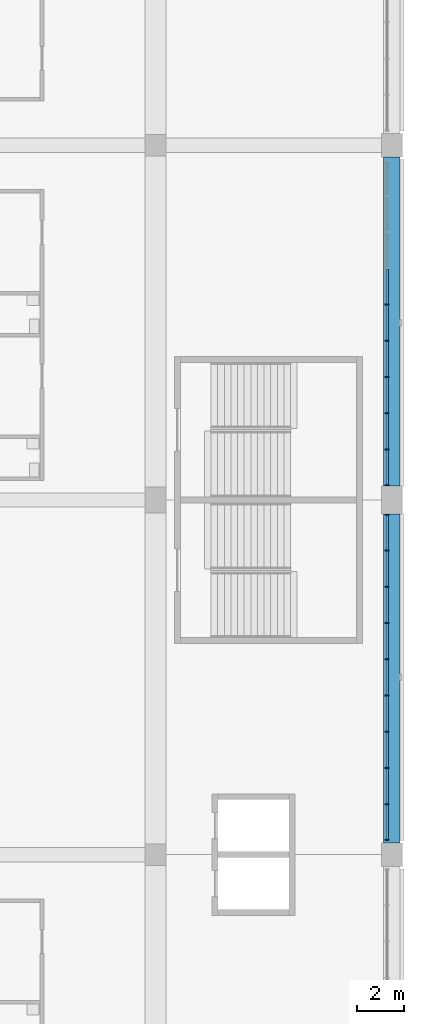
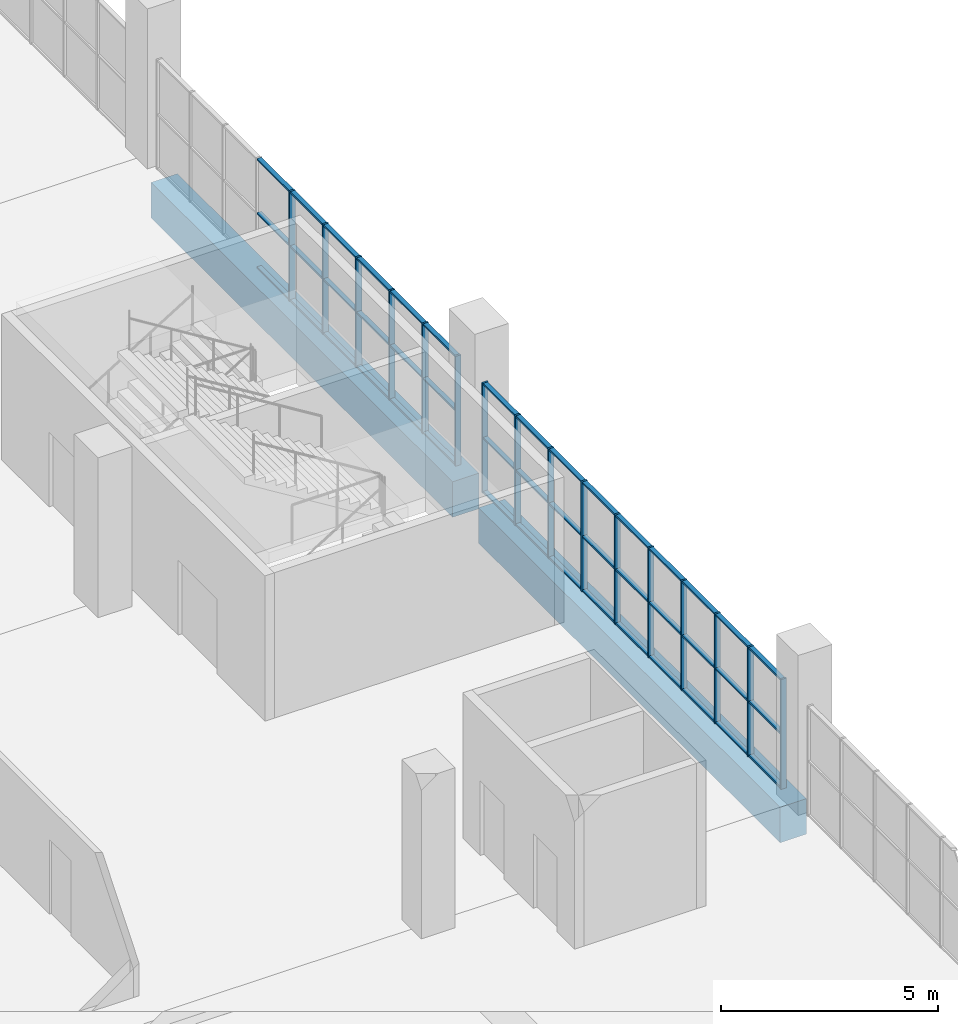
# One storey, part 32 of 199: 61 members, 2 beams, 2 elements without a shape of their own.
"""IFC4 building model written with IfcOpenShell, lengths in metres."""

from ifc_helpers import new_model, si_unit, direction, frame, origin, origin_2d, place, context, subcontext, project, spatial, rectangle, extrude, material, material_profile, profile_set, type_object, element, aggregate, save


model = new_model("IFC4")

# Units and contexts
model_context = context("Model", 3, precision=1e-05, world=origin(), true_north=direction((0.0, 1.0)))
body_context = subcontext(model_context, "Body", "Model", "MODEL_VIEW")
ifc_project = project(units=[si_unit("LENGTHUNIT", "METRE"), si_unit("AREAUNIT", "SQUARE_METRE"), si_unit("VOLUMEUNIT", "CUBIC_METRE"), si_unit("PLANEANGLEUNIT", "RADIAN"), si_unit("MASSUNIT", "GRAM", prefix="KILO")], contexts=[model_context])

# Site, building, storey
site_placement = place(None, origin())
site = spatial("IfcSite", under=ifc_project, at=site_placement, CompositionType="ELEMENT")
building_placement = place(site_placement, origin())
building = spatial("IfcBuilding", under=site, at=building_placement, Name="Ogive Plaza Stadium", CompositionType="ELEMENT")
storey_placement = place(building_placement, frame((0.0, 0.0, 9.0)))
storey = spatial("IfcBuildingStorey", under=building, at=storey_placement, Name="L02", CompositionType="ELEMENT", Elevation=9.0)

# Curtain wall, members
ifc_material_1 = material(Name="Bronze-anodised aluminium with laminated glass", Category="aluminium")
curtain_wall_type = type_object("IfcCurtainWallType", Name="Lancet curtain wall", PredefinedType="NOTDEFINED", material=ifc_material_1)
curtain_wall_1_placement = place(storey_placement, origin())
curtain_wall_1 = element("IfcCurtainWall", 1, at=curtain_wall_1_placement, inside=storey, type_object=curtain_wall_type, Name="CURTAIN WALL B03 L02", PredefinedType="NOTDEFINED")
ifc_material_2 = material(Name="Bronze-anodised aluminium", Category="aluminium")
ifc_material_profile_1 = material_profile(ifc_material_2, rectangle(XDim=0.14990234375, YDim=0.050048828125, at=origin_2d()), Name="AL 150x50")
ifc_profile_set_1 = profile_set([ifc_material_profile_1], Name="Bronze-anodised aluminium")
member_type_1 = type_object("IfcMemberType", Name="Curtain wall mullion 50x150", PredefinedType="MULLION", material=ifc_profile_set_1)
member_1_placement = place(storey_placement, frame((83.800048828125, 15.7666015625, 0.0), z_axis=(0.0, 0.0, 1.0), x_axis=(1.0, 0.0, 0.0)))
member_1 = element("IfcMember", 2, at=member_1_placement, type_object=member_type_1, Name="CW-B03-L02 mullion 5", PredefinedType="MULLION", context=body_context, shape_type="SweptSolid", body=[
    extrude(rectangle(XDim=0.14990234375, YDim=0.050048828125, at=origin_2d()), origin(), (0.0, 0.0, 1.0), 3.090087890625),
])
member_2_placement = place(storey_placement, frame((83.800048828125, 14.2333984375, 0.0), z_axis=(0.0, 0.0, 1.0), x_axis=(1.0, 0.0, 0.0)))
member_2 = element("IfcMember", 3, at=member_2_placement, type_object=member_type_1, Name="CW-B03-L02 mullion 6", PredefinedType="MULLION", context=body_context, shape_type="SweptSolid", body=[
    extrude(rectangle(XDim=0.14990234375, YDim=0.050048828125, at=origin_2d()), origin(), (0.0, 0.0, 1.0), 3.090087890625),
])
member_3_placement = place(storey_placement, frame((83.800048828125, 12.699951171875, 0.0), z_axis=(0.0, 0.0, 1.0), x_axis=(1.0, 0.0, 0.0)))
member_3 = element("IfcMember", 4, at=member_3_placement, type_object=member_type_1, Name="CW-B03-L02 mullion 7", PredefinedType="MULLION", context=body_context, shape_type="SweptSolid", body=[
    extrude(rectangle(XDim=0.14990234375, YDim=0.050048828125, at=origin_2d()), origin(), (0.0, 0.0, 1.0), 3.090087890625),
])
member_4_placement = place(storey_placement, frame((83.800048828125, 11.166748046875, 0.0), z_axis=(0.0, 0.0, 1.0), x_axis=(1.0, 0.0, 0.0)))
member_4 = element("IfcMember", 5, at=member_4_placement, type_object=member_type_1, Name="CW-B03-L02 mullion 8", PredefinedType="MULLION", context=body_context, shape_type="SweptSolid", body=[
    extrude(rectangle(XDim=0.14990234375, YDim=0.050048828125, at=origin_2d()), origin(), (0.0, 0.0, 1.0), 3.090087890625),
])
member_5_placement = place(storey_placement, frame((83.800048828125, 9.63330078125, 0.0), z_axis=(0.0, 0.0, 1.0), x_axis=(1.0, 0.0, 0.0)))
member_5 = element("IfcMember", 6, at=member_5_placement, type_object=member_type_1, Name="CW-B03-L02 mullion 9", PredefinedType="MULLION", context=body_context, shape_type="SweptSolid", body=[
    extrude(rectangle(XDim=0.14990234375, YDim=0.050048828125, at=origin_2d()), origin(), (0.0, 0.0, 1.0), 3.090087890625),
])
member_6_placement = place(storey_placement, frame((83.800048828125, 8.125, 0.0), z_axis=(0.0, 0.0, 1.0), x_axis=(1.0, 0.0, 0.0)))
member_6 = element("IfcMember", 7, at=member_6_placement, type_object=member_type_1, Name="CW-B03-L02 mullion 10", PredefinedType="MULLION", context=body_context, shape_type="SweptSolid", body=[
    extrude(rectangle(XDim=0.14990234375, YDim=0.050048828125, at=origin_2d()), origin(), (0.0, 0.0, 1.0), 3.090087890625),
])

curtain_wall_2_placement = place(storey_placement, origin())
curtain_wall_2 = element("IfcCurtainWall", 8, at=curtain_wall_2_placement, inside=storey, type_object=curtain_wall_type, Name="CURTAIN WALL B04 L02", PredefinedType="NOTDEFINED")
member_7_placement = place(storey_placement, frame((83.800048828125, 6.875, 0.0), z_axis=(0.0, 0.0, 1.0), x_axis=(1.0, 0.0, 0.0)))
member_7 = element("IfcMember", 9, at=member_7_placement, type_object=member_type_1, Name="CW-B04-L02 mullion 1", PredefinedType="MULLION", context=body_context, shape_type="SweptSolid", body=[
    extrude(rectangle(XDim=0.14990234375, YDim=0.050048828125, at=origin_2d()), origin(), (0.0, 0.0, 1.0), 3.090087890625),
])
member_8_placement = place(storey_placement, frame((83.800048828125, 5.36669921875, 0.0), z_axis=(0.0, 0.0, 1.0), x_axis=(1.0, 0.0, 0.0)))
member_8 = element("IfcMember", 10, at=member_8_placement, type_object=member_type_1, Name="CW-B04-L02 mullion 2", PredefinedType="MULLION", context=body_context, shape_type="SweptSolid", body=[
    extrude(rectangle(XDim=0.14990234375, YDim=0.050048828125, at=origin_2d()), origin(), (0.0, 0.0, 1.0), 3.090087890625),
])
member_9_placement = place(storey_placement, frame((83.800048828125, 3.833251953125, 0.0), z_axis=(0.0, 0.0, 1.0), x_axis=(1.0, 0.0, 0.0)))
member_9 = element("IfcMember", 11, at=member_9_placement, type_object=member_type_1, Name="CW-B04-L02 mullion 3", PredefinedType="MULLION", context=body_context, shape_type="SweptSolid", body=[
    extrude(rectangle(XDim=0.14990234375, YDim=0.050048828125, at=origin_2d()), origin(), (0.0, 0.0, 1.0), 3.090087890625),
])
member_10_placement = place(storey_placement, frame((83.800048828125, 2.300048828125, 0.0), z_axis=(0.0, 0.0, 1.0), x_axis=(1.0, 0.0, 0.0)))
member_10 = element("IfcMember", 12, at=member_10_placement, type_object=member_type_1, Name="CW-B04-L02 mullion 4", PredefinedType="MULLION", context=body_context, shape_type="SweptSolid", body=[
    extrude(rectangle(XDim=0.14990234375, YDim=0.050048828125, at=origin_2d()), origin(), (0.0, 0.0, 1.0), 3.090087890625),
])
member_11_placement = place(storey_placement, frame((83.800048828125, 0.7666015625, 0.0), z_axis=(0.0, 0.0, 1.0), x_axis=(1.0, 0.0, 0.0)))
member_11 = element("IfcMember", 13, at=member_11_placement, type_object=member_type_1, Name="CW-B04-L02 mullion 5", PredefinedType="MULLION", context=body_context, shape_type="SweptSolid", body=[
    extrude(rectangle(XDim=0.14990234375, YDim=0.050048828125, at=origin_2d()), origin(), (0.0, 0.0, 1.0), 3.090087890625),
])
member_12_placement = place(storey_placement, frame((83.800048828125, -0.7666015625, 0.0), z_axis=(0.0, 0.0, 1.0), x_axis=(1.0, 0.0, 0.0)))
member_12 = element("IfcMember", 14, at=member_12_placement, type_object=member_type_1, Name="CW-B04-L02 mullion 6", PredefinedType="MULLION", context=body_context, shape_type="SweptSolid", body=[
    extrude(rectangle(XDim=0.14990234375, YDim=0.050048828125, at=origin_2d()), origin(), (0.0, 0.0, 1.0), 3.090087890625),
])
member_13_placement = place(storey_placement, frame((83.800048828125, -2.300048828125, 0.0), z_axis=(0.0, 0.0, 1.0), x_axis=(1.0, 0.0, 0.0)))
member_13 = element("IfcMember", 15, at=member_13_placement, type_object=member_type_1, Name="CW-B04-L02 mullion 7", PredefinedType="MULLION", context=body_context, shape_type="SweptSolid", body=[
    extrude(rectangle(XDim=0.14990234375, YDim=0.050048828125, at=origin_2d()), origin(), (0.0, 0.0, 1.0), 3.090087890625),
])
member_14_placement = place(storey_placement, frame((83.800048828125, -3.833251953125, 0.0), z_axis=(0.0, 0.0, 1.0), x_axis=(1.0, 0.0, 0.0)))
member_14 = element("IfcMember", 16, at=member_14_placement, type_object=member_type_1, Name="CW-B04-L02 mullion 8", PredefinedType="MULLION", context=body_context, shape_type="SweptSolid", body=[
    extrude(rectangle(XDim=0.14990234375, YDim=0.050048828125, at=origin_2d()), origin(), (0.0, 0.0, 1.0), 3.090087890625),
])
member_15_placement = place(storey_placement, frame((83.800048828125, -5.36669921875, 0.0), z_axis=(0.0, 0.0, 1.0), x_axis=(1.0, 0.0, 0.0)))
member_15 = element("IfcMember", 17, at=member_15_placement, type_object=member_type_1, Name="CW-B04-L02 mullion 9", PredefinedType="MULLION", context=body_context, shape_type="SweptSolid", body=[
    extrude(rectangle(XDim=0.14990234375, YDim=0.050048828125, at=origin_2d()), origin(), (0.0, 0.0, 1.0), 3.090087890625),
])
member_16_placement = place(storey_placement, frame((83.800048828125, -6.875, 0.0), z_axis=(0.0, 0.0, 1.0), x_axis=(1.0, 0.0, 0.0)))
member_16 = element("IfcMember", 18, at=member_16_placement, type_object=member_type_1, Name="CW-B04-L02 mullion 10", PredefinedType="MULLION", context=body_context, shape_type="SweptSolid", body=[
    extrude(rectangle(XDim=0.14990234375, YDim=0.050048828125, at=origin_2d()), origin(), (0.0, 0.0, 1.0), 3.090087890625),
])

# Member
ifc_material_3 = material(Name="Bronze-anodised aluminium", Category="aluminium")
ifc_material_profile_2 = material_profile(ifc_material_3, rectangle(XDim=0.1201171875, YDim=0.050048828125, at=origin_2d()), Name="AL 120x50")
ifc_profile_set_2 = profile_set([ifc_material_profile_2], Name="Bronze-anodised aluminium")
member_type_2 = type_object("IfcMemberType", Name="Curtain wall transom 50x120", PredefinedType="USERDEFINED", material=ifc_profile_set_2)
member_17_placement = place(storey_placement, frame((83.800048828125, 17.27490234375, 0.02490234375), z_axis=(0.0, -1.0, 0.0), x_axis=(1.0, 0.0, 0.0)))
member_17 = element("IfcMember", 19, at=member_17_placement, type_object=member_type_2, Name="CW-B03-L02 transom 4.1", ObjectType="TRANSOM", PredefinedType="USERDEFINED", context=body_context, shape_type="SweptSolid", body=[
    extrude(rectangle(XDim=0.1201171875, YDim=0.050048828125, at=origin_2d()), origin(), (0.0, 0.0, 1.0), 1.483154296875),
])

member_18_placement = place(storey_placement, frame((83.800048828125, 17.27490234375, 1.544921875), z_axis=(0.0, -1.0, 0.0), x_axis=(1.0, 0.0, 0.0)))
member_18 = element("IfcMember", 20, at=member_18_placement, type_object=member_type_2, Name="CW-B03-L02 transom 4.2", ObjectType="TRANSOM", PredefinedType="USERDEFINED", context=body_context, shape_type="SweptSolid", body=[
    extrude(rectangle(XDim=0.1201171875, YDim=0.050048828125, at=origin_2d()), origin(), (0.0, 0.0, 1.0), 1.483154296875),
])

member_19_placement = place(storey_placement, frame((83.800048828125, 17.27490234375, 3.06494140625), z_axis=(0.0, -1.0, 0.0), x_axis=(1.0, 0.0, 0.0)))
member_19 = element("IfcMember", 21, at=member_19_placement, type_object=member_type_2, Name="CW-B03-L02 transom 4.3", ObjectType="TRANSOM", PredefinedType="USERDEFINED", context=body_context, shape_type="SweptSolid", body=[
    extrude(rectangle(XDim=0.1201171875, YDim=0.050048828125, at=origin_2d()), origin(), (0.0, 0.0, 1.0), 1.483154296875),
])

member_20_placement = place(storey_placement, frame((83.800048828125, 15.74169921875, 0.02490234375), z_axis=(0.0, -1.0, 0.0), x_axis=(1.0, 0.0, 0.0)))
member_20 = element("IfcMember", 22, at=member_20_placement, type_object=member_type_2, Name="CW-B03-L02 transom 5.1", ObjectType="TRANSOM", PredefinedType="USERDEFINED", context=body_context, shape_type="SweptSolid", body=[
    extrude(rectangle(XDim=0.1201171875, YDim=0.050048828125, at=origin_2d()), origin(), (0.0, 0.0, 1.0), 1.4833984375),
])

member_21_placement = place(storey_placement, frame((83.800048828125, 15.74169921875, 1.544921875), z_axis=(0.0, -1.0, 0.0), x_axis=(1.0, 0.0, 0.0)))
member_21 = element("IfcMember", 23, at=member_21_placement, type_object=member_type_2, Name="CW-B03-L02 transom 5.2", ObjectType="TRANSOM", PredefinedType="USERDEFINED", context=body_context, shape_type="SweptSolid", body=[
    extrude(rectangle(XDim=0.1201171875, YDim=0.050048828125, at=origin_2d()), origin(), (0.0, 0.0, 1.0), 1.4833984375),
])

member_22_placement = place(storey_placement, frame((83.800048828125, 15.74169921875, 3.06494140625), z_axis=(0.0, -1.0, 0.0), x_axis=(1.0, 0.0, 0.0)))
member_22 = element("IfcMember", 24, at=member_22_placement, type_object=member_type_2, Name="CW-B03-L02 transom 5.3", ObjectType="TRANSOM", PredefinedType="USERDEFINED", context=body_context, shape_type="SweptSolid", body=[
    extrude(rectangle(XDim=0.1201171875, YDim=0.050048828125, at=origin_2d()), origin(), (0.0, 0.0, 1.0), 1.4833984375),
])

member_23_placement = place(storey_placement, frame((83.800048828125, 14.208251953125, 0.02490234375), z_axis=(0.0, -1.0, 0.0), x_axis=(1.0, 0.0, 0.0)))
member_23 = element("IfcMember", 25, at=member_23_placement, type_object=member_type_2, Name="CW-B03-L02 transom 6.1", ObjectType="TRANSOM", PredefinedType="USERDEFINED", context=body_context, shape_type="SweptSolid", body=[
    extrude(rectangle(XDim=0.1201171875, YDim=0.050048828125, at=origin_2d()), origin(), (0.0, 0.0, 1.0), 1.483154296875),
])

member_24_placement = place(storey_placement, frame((83.800048828125, 14.208251953125, 1.544921875), z_axis=(0.0, -1.0, 0.0), x_axis=(1.0, 0.0, 0.0)))
member_24 = element("IfcMember", 26, at=member_24_placement, type_object=member_type_2, Name="CW-B03-L02 transom 6.2", ObjectType="TRANSOM", PredefinedType="USERDEFINED", context=body_context, shape_type="SweptSolid", body=[
    extrude(rectangle(XDim=0.1201171875, YDim=0.050048828125, at=origin_2d()), origin(), (0.0, 0.0, 1.0), 1.483154296875),
])

member_25_placement = place(storey_placement, frame((83.800048828125, 14.208251953125, 3.06494140625), z_axis=(0.0, -1.0, 0.0), x_axis=(1.0, 0.0, 0.0)))
member_25 = element("IfcMember", 27, at=member_25_placement, type_object=member_type_2, Name="CW-B03-L02 transom 6.3", ObjectType="TRANSOM", PredefinedType="USERDEFINED", context=body_context, shape_type="SweptSolid", body=[
    extrude(rectangle(XDim=0.1201171875, YDim=0.050048828125, at=origin_2d()), origin(), (0.0, 0.0, 1.0), 1.483154296875),
])

member_26_placement = place(storey_placement, frame((83.800048828125, 12.675048828125, 0.02490234375), z_axis=(0.0, -1.0, 0.0), x_axis=(1.0, 0.0, 0.0)))
member_26 = element("IfcMember", 28, at=member_26_placement, type_object=member_type_2, Name="CW-B03-L02 transom 7.1", ObjectType="TRANSOM", PredefinedType="USERDEFINED", context=body_context, shape_type="SweptSolid", body=[
    extrude(rectangle(XDim=0.1201171875, YDim=0.050048828125, at=origin_2d()), origin(), (0.0, 0.0, 1.0), 1.4833984375),
])

member_27_placement = place(storey_placement, frame((83.800048828125, 12.675048828125, 1.544921875), z_axis=(0.0, -1.0, 0.0), x_axis=(1.0, 0.0, 0.0)))
member_27 = element("IfcMember", 29, at=member_27_placement, type_object=member_type_2, Name="CW-B03-L02 transom 7.2", ObjectType="TRANSOM", PredefinedType="USERDEFINED", context=body_context, shape_type="SweptSolid", body=[
    extrude(rectangle(XDim=0.1201171875, YDim=0.050048828125, at=origin_2d()), origin(), (0.0, 0.0, 1.0), 1.4833984375),
])

member_28_placement = place(storey_placement, frame((83.800048828125, 12.675048828125, 3.06494140625), z_axis=(0.0, -1.0, 0.0), x_axis=(1.0, 0.0, 0.0)))
member_28 = element("IfcMember", 30, at=member_28_placement, type_object=member_type_2, Name="CW-B03-L02 transom 7.3", ObjectType="TRANSOM", PredefinedType="USERDEFINED", context=body_context, shape_type="SweptSolid", body=[
    extrude(rectangle(XDim=0.1201171875, YDim=0.050048828125, at=origin_2d()), origin(), (0.0, 0.0, 1.0), 1.4833984375),
])

member_29_placement = place(storey_placement, frame((83.800048828125, 11.1416015625, 0.02490234375), z_axis=(0.0, -1.0, 0.0), x_axis=(1.0, 0.0, 0.0)))
member_29 = element("IfcMember", 31, at=member_29_placement, type_object=member_type_2, Name="CW-B03-L02 transom 8.1", ObjectType="TRANSOM", PredefinedType="USERDEFINED", context=body_context, shape_type="SweptSolid", body=[
    extrude(rectangle(XDim=0.1201171875, YDim=0.050048828125, at=origin_2d()), origin(), (0.0, 0.0, 1.0), 1.483154296875),
])

member_30_placement = place(storey_placement, frame((83.800048828125, 11.1416015625, 1.544921875), z_axis=(0.0, -1.0, 0.0), x_axis=(1.0, 0.0, 0.0)))
member_30 = element("IfcMember", 32, at=member_30_placement, type_object=member_type_2, Name="CW-B03-L02 transom 8.2", ObjectType="TRANSOM", PredefinedType="USERDEFINED", context=body_context, shape_type="SweptSolid", body=[
    extrude(rectangle(XDim=0.1201171875, YDim=0.050048828125, at=origin_2d()), origin(), (0.0, 0.0, 1.0), 1.483154296875),
])

member_31_placement = place(storey_placement, frame((83.800048828125, 11.1416015625, 3.06494140625), z_axis=(0.0, -1.0, 0.0), x_axis=(1.0, 0.0, 0.0)))
member_31 = element("IfcMember", 33, at=member_31_placement, type_object=member_type_2, Name="CW-B03-L02 transom 8.3", ObjectType="TRANSOM", PredefinedType="USERDEFINED", context=body_context, shape_type="SweptSolid", body=[
    extrude(rectangle(XDim=0.1201171875, YDim=0.050048828125, at=origin_2d()), origin(), (0.0, 0.0, 1.0), 1.483154296875),
])

member_32_placement = place(storey_placement, frame((83.800048828125, 9.6083984375, 0.02490234375), z_axis=(0.0, -1.0, 0.0), x_axis=(1.0, 0.0, 0.0)))
member_32 = element("IfcMember", 34, at=member_32_placement, type_object=member_type_2, Name="CW-B03-L02 transom 9.1", ObjectType="TRANSOM", PredefinedType="USERDEFINED", context=body_context, shape_type="SweptSolid", body=[
    extrude(rectangle(XDim=0.1201171875, YDim=0.050048828125, at=origin_2d()), origin(), (0.0, 0.0, 1.0), 1.45849609375),
])

member_33_placement = place(storey_placement, frame((83.800048828125, 9.6083984375, 1.544921875), z_axis=(0.0, -1.0, 0.0), x_axis=(1.0, 0.0, 0.0)))
member_33 = element("IfcMember", 35, at=member_33_placement, type_object=member_type_2, Name="CW-B03-L02 transom 9.2", ObjectType="TRANSOM", PredefinedType="USERDEFINED", context=body_context, shape_type="SweptSolid", body=[
    extrude(rectangle(XDim=0.1201171875, YDim=0.050048828125, at=origin_2d()), origin(), (0.0, 0.0, 1.0), 1.45849609375),
])

member_34_placement = place(storey_placement, frame((83.800048828125, 9.6083984375, 3.06494140625), z_axis=(0.0, -1.0, 0.0), x_axis=(1.0, 0.0, 0.0)))
member_34 = element("IfcMember", 36, at=member_34_placement, type_object=member_type_2, Name="CW-B03-L02 transom 9.3", ObjectType="TRANSOM", PredefinedType="USERDEFINED", context=body_context, shape_type="SweptSolid", body=[
    extrude(rectangle(XDim=0.1201171875, YDim=0.050048828125, at=origin_2d()), origin(), (0.0, 0.0, 1.0), 1.45849609375),
])

aggregate(curtain_wall_1, [member_1, member_2, member_3, member_4, member_5, member_6, member_17, member_18, member_19, member_20, member_21, member_22, member_23, member_24, member_25, member_26, member_27, member_28, member_29, member_30, member_31, member_32, member_33, member_34])

member_35_placement = place(storey_placement, frame((83.800048828125, 6.85009765625, 0.02490234375), z_axis=(0.0, -1.0, 0.0), x_axis=(1.0, 0.0, 0.0)))
member_35 = element("IfcMember", 37, at=member_35_placement, type_object=member_type_2, Name="CW-B04-L02 transom 1.1", ObjectType="TRANSOM", PredefinedType="USERDEFINED", context=body_context, shape_type="SweptSolid", body=[
    extrude(rectangle(XDim=0.1201171875, YDim=0.050048828125, at=origin_2d()), origin(), (0.0, 0.0, 1.0), 1.45849609375),
])

member_36_placement = place(storey_placement, frame((83.800048828125, 6.85009765625, 1.544921875), z_axis=(0.0, -1.0, 0.0), x_axis=(1.0, 0.0, 0.0)))
member_36 = element("IfcMember", 38, at=member_36_placement, type_object=member_type_2, Name="CW-B04-L02 transom 1.2", ObjectType="TRANSOM", PredefinedType="USERDEFINED", context=body_context, shape_type="SweptSolid", body=[
    extrude(rectangle(XDim=0.1201171875, YDim=0.050048828125, at=origin_2d()), origin(), (0.0, 0.0, 1.0), 1.45849609375),
])

member_37_placement = place(storey_placement, frame((83.800048828125, 6.85009765625, 3.06494140625), z_axis=(0.0, -1.0, 0.0), x_axis=(1.0, 0.0, 0.0)))
member_37 = element("IfcMember", 39, at=member_37_placement, type_object=member_type_2, Name="CW-B04-L02 transom 1.3", ObjectType="TRANSOM", PredefinedType="USERDEFINED", context=body_context, shape_type="SweptSolid", body=[
    extrude(rectangle(XDim=0.1201171875, YDim=0.050048828125, at=origin_2d()), origin(), (0.0, 0.0, 1.0), 1.45849609375),
])

member_38_placement = place(storey_placement, frame((83.800048828125, 5.341552734375, 0.02490234375), z_axis=(0.0, -1.0, 0.0), x_axis=(1.0, 0.0, 0.0)))
member_38 = element("IfcMember", 40, at=member_38_placement, type_object=member_type_2, Name="CW-B04-L02 transom 2.1", ObjectType="TRANSOM", PredefinedType="USERDEFINED", context=body_context, shape_type="SweptSolid", body=[
    extrude(rectangle(XDim=0.1201171875, YDim=0.050048828125, at=origin_2d()), origin(), (0.0, 0.0, 1.0), 1.483154296875),
])

member_39_placement = place(storey_placement, frame((83.800048828125, 5.341552734375, 1.544921875), z_axis=(0.0, -1.0, 0.0), x_axis=(1.0, 0.0, 0.0)))
member_39 = element("IfcMember", 41, at=member_39_placement, type_object=member_type_2, Name="CW-B04-L02 transom 2.2", ObjectType="TRANSOM", PredefinedType="USERDEFINED", context=body_context, shape_type="SweptSolid", body=[
    extrude(rectangle(XDim=0.1201171875, YDim=0.050048828125, at=origin_2d()), origin(), (0.0, 0.0, 1.0), 1.483154296875),
])

member_40_placement = place(storey_placement, frame((83.800048828125, 5.341552734375, 3.06494140625), z_axis=(0.0, -1.0, 0.0), x_axis=(1.0, 0.0, 0.0)))
member_40 = element("IfcMember", 42, at=member_40_placement, type_object=member_type_2, Name="CW-B04-L02 transom 2.3", ObjectType="TRANSOM", PredefinedType="USERDEFINED", context=body_context, shape_type="SweptSolid", body=[
    extrude(rectangle(XDim=0.1201171875, YDim=0.050048828125, at=origin_2d()), origin(), (0.0, 0.0, 1.0), 1.483154296875),
])

member_41_placement = place(storey_placement, frame((83.800048828125, 3.808349609375, 0.02490234375), z_axis=(0.0, -1.0, 0.0), x_axis=(1.0, 0.0, 0.0)))
member_41 = element("IfcMember", 43, at=member_41_placement, type_object=member_type_2, Name="CW-B04-L02 transom 3.1", ObjectType="TRANSOM", PredefinedType="USERDEFINED", context=body_context, shape_type="SweptSolid", body=[
    extrude(rectangle(XDim=0.1201171875, YDim=0.050048828125, at=origin_2d()), origin(), (0.0, 0.0, 1.0), 1.4833984375),
])

member_42_placement = place(storey_placement, frame((83.800048828125, 3.808349609375, 1.544921875), z_axis=(0.0, -1.0, 0.0), x_axis=(1.0, 0.0, 0.0)))
member_42 = element("IfcMember", 44, at=member_42_placement, type_object=member_type_2, Name="CW-B04-L02 transom 3.2", ObjectType="TRANSOM", PredefinedType="USERDEFINED", context=body_context, shape_type="SweptSolid", body=[
    extrude(rectangle(XDim=0.1201171875, YDim=0.050048828125, at=origin_2d()), origin(), (0.0, 0.0, 1.0), 1.4833984375),
])

member_43_placement = place(storey_placement, frame((83.800048828125, 3.808349609375, 3.06494140625), z_axis=(0.0, -1.0, 0.0), x_axis=(1.0, 0.0, 0.0)))
member_43 = element("IfcMember", 45, at=member_43_placement, type_object=member_type_2, Name="CW-B04-L02 transom 3.3", ObjectType="TRANSOM", PredefinedType="USERDEFINED", context=body_context, shape_type="SweptSolid", body=[
    extrude(rectangle(XDim=0.1201171875, YDim=0.050048828125, at=origin_2d()), origin(), (0.0, 0.0, 1.0), 1.4833984375),
])

member_44_placement = place(storey_placement, frame((83.800048828125, 2.27490234375, 0.02490234375), z_axis=(0.0, -1.0, 0.0), x_axis=(1.0, 0.0, 0.0)))
member_44 = element("IfcMember", 46, at=member_44_placement, type_object=member_type_2, Name="CW-B04-L02 transom 4.1", ObjectType="TRANSOM", PredefinedType="USERDEFINED", context=body_context, shape_type="SweptSolid", body=[
    extrude(rectangle(XDim=0.1201171875, YDim=0.050048828125, at=origin_2d()), origin(), (0.0, 0.0, 1.0), 1.483154296875),
])

member_45_placement = place(storey_placement, frame((83.800048828125, 2.27490234375, 1.544921875), z_axis=(0.0, -1.0, 0.0), x_axis=(1.0, 0.0, 0.0)))
member_45 = element("IfcMember", 47, at=member_45_placement, type_object=member_type_2, Name="CW-B04-L02 transom 4.2", ObjectType="TRANSOM", PredefinedType="USERDEFINED", context=body_context, shape_type="SweptSolid", body=[
    extrude(rectangle(XDim=0.1201171875, YDim=0.050048828125, at=origin_2d()), origin(), (0.0, 0.0, 1.0), 1.483154296875),
])

member_46_placement = place(storey_placement, frame((83.800048828125, 2.27490234375, 3.06494140625), z_axis=(0.0, -1.0, 0.0), x_axis=(1.0, 0.0, 0.0)))
member_46 = element("IfcMember", 48, at=member_46_placement, type_object=member_type_2, Name="CW-B04-L02 transom 4.3", ObjectType="TRANSOM", PredefinedType="USERDEFINED", context=body_context, shape_type="SweptSolid", body=[
    extrude(rectangle(XDim=0.1201171875, YDim=0.050048828125, at=origin_2d()), origin(), (0.0, 0.0, 1.0), 1.483154296875),
])

member_47_placement = place(storey_placement, frame((83.800048828125, 0.74169921875, 0.02490234375), z_axis=(0.0, -1.0, 0.0), x_axis=(1.0, 0.0, 0.0)))
member_47 = element("IfcMember", 49, at=member_47_placement, type_object=member_type_2, Name="CW-B04-L02 transom 5.1", ObjectType="TRANSOM", PredefinedType="USERDEFINED", context=body_context, shape_type="SweptSolid", body=[
    extrude(rectangle(XDim=0.1201171875, YDim=0.050048828125, at=origin_2d()), origin(), (0.0, 0.0, 1.0), 1.4833984375),
])

member_48_placement = place(storey_placement, frame((83.800048828125, 0.74169921875, 1.544921875), z_axis=(0.0, -1.0, 0.0), x_axis=(1.0, 0.0, 0.0)))
member_48 = element("IfcMember", 50, at=member_48_placement, type_object=member_type_2, Name="CW-B04-L02 transom 5.2", ObjectType="TRANSOM", PredefinedType="USERDEFINED", context=body_context, shape_type="SweptSolid", body=[
    extrude(rectangle(XDim=0.1201171875, YDim=0.050048828125, at=origin_2d()), origin(), (0.0, 0.0, 1.0), 1.4833984375),
])

member_49_placement = place(storey_placement, frame((83.800048828125, 0.74169921875, 3.06494140625), z_axis=(0.0, -1.0, 0.0), x_axis=(1.0, 0.0, 0.0)))
member_49 = element("IfcMember", 51, at=member_49_placement, type_object=member_type_2, Name="CW-B04-L02 transom 5.3", ObjectType="TRANSOM", PredefinedType="USERDEFINED", context=body_context, shape_type="SweptSolid", body=[
    extrude(rectangle(XDim=0.1201171875, YDim=0.050048828125, at=origin_2d()), origin(), (0.0, 0.0, 1.0), 1.4833984375),
])

member_50_placement = place(storey_placement, frame((83.800048828125, -0.791748046875, 0.02490234375), z_axis=(0.0, -1.0, 0.0), x_axis=(1.0, 0.0, 0.0)))
member_50 = element("IfcMember", 52, at=member_50_placement, type_object=member_type_2, Name="CW-B04-L02 transom 6.1", ObjectType="TRANSOM", PredefinedType="USERDEFINED", context=body_context, shape_type="SweptSolid", body=[
    extrude(rectangle(XDim=0.1201171875, YDim=0.050048828125, at=origin_2d()), origin(), (0.0, 0.0, 1.0), 1.483154296875),
])

member_51_placement = place(storey_placement, frame((83.800048828125, -0.791748046875, 1.544921875), z_axis=(0.0, -1.0, 0.0), x_axis=(1.0, 0.0, 0.0)))
member_51 = element("IfcMember", 53, at=member_51_placement, type_object=member_type_2, Name="CW-B04-L02 transom 6.2", ObjectType="TRANSOM", PredefinedType="USERDEFINED", context=body_context, shape_type="SweptSolid", body=[
    extrude(rectangle(XDim=0.1201171875, YDim=0.050048828125, at=origin_2d()), origin(), (0.0, 0.0, 1.0), 1.483154296875),
])

member_52_placement = place(storey_placement, frame((83.800048828125, -0.791748046875, 3.06494140625), z_axis=(0.0, -1.0, 0.0), x_axis=(1.0, 0.0, 0.0)))
member_52 = element("IfcMember", 54, at=member_52_placement, type_object=member_type_2, Name="CW-B04-L02 transom 6.3", ObjectType="TRANSOM", PredefinedType="USERDEFINED", context=body_context, shape_type="SweptSolid", body=[
    extrude(rectangle(XDim=0.1201171875, YDim=0.050048828125, at=origin_2d()), origin(), (0.0, 0.0, 1.0), 1.483154296875),
])

member_53_placement = place(storey_placement, frame((83.800048828125, -2.324951171875, 0.02490234375), z_axis=(0.0, -1.0, 0.0), x_axis=(1.0, 0.0, 0.0)))
member_53 = element("IfcMember", 55, at=member_53_placement, type_object=member_type_2, Name="CW-B04-L02 transom 7.1", ObjectType="TRANSOM", PredefinedType="USERDEFINED", context=body_context, shape_type="SweptSolid", body=[
    extrude(rectangle(XDim=0.1201171875, YDim=0.050048828125, at=origin_2d()), origin(), (0.0, 0.0, 1.0), 1.4833984375),
])

member_54_placement = place(storey_placement, frame((83.800048828125, -2.324951171875, 1.544921875), z_axis=(0.0, -1.0, 0.0), x_axis=(1.0, 0.0, 0.0)))
member_54 = element("IfcMember", 56, at=member_54_placement, type_object=member_type_2, Name="CW-B04-L02 transom 7.2", ObjectType="TRANSOM", PredefinedType="USERDEFINED", context=body_context, shape_type="SweptSolid", body=[
    extrude(rectangle(XDim=0.1201171875, YDim=0.050048828125, at=origin_2d()), origin(), (0.0, 0.0, 1.0), 1.4833984375),
])

member_55_placement = place(storey_placement, frame((83.800048828125, -2.324951171875, 3.06494140625), z_axis=(0.0, -1.0, 0.0), x_axis=(1.0, 0.0, 0.0)))
member_55 = element("IfcMember", 57, at=member_55_placement, type_object=member_type_2, Name="CW-B04-L02 transom 7.3", ObjectType="TRANSOM", PredefinedType="USERDEFINED", context=body_context, shape_type="SweptSolid", body=[
    extrude(rectangle(XDim=0.1201171875, YDim=0.050048828125, at=origin_2d()), origin(), (0.0, 0.0, 1.0), 1.4833984375),
])

member_56_placement = place(storey_placement, frame((83.800048828125, -3.8583984375, 0.02490234375), z_axis=(0.0, -1.0, 0.0), x_axis=(1.0, 0.0, 0.0)))
member_56 = element("IfcMember", 58, at=member_56_placement, type_object=member_type_2, Name="CW-B04-L02 transom 8.1", ObjectType="TRANSOM", PredefinedType="USERDEFINED", context=body_context, shape_type="SweptSolid", body=[
    extrude(rectangle(XDim=0.1201171875, YDim=0.050048828125, at=origin_2d()), origin(), (0.0, 0.0, 1.0), 1.483154296875),
])

member_57_placement = place(storey_placement, frame((83.800048828125, -3.8583984375, 1.544921875), z_axis=(0.0, -1.0, 0.0), x_axis=(1.0, 0.0, 0.0)))
member_57 = element("IfcMember", 59, at=member_57_placement, type_object=member_type_2, Name="CW-B04-L02 transom 8.2", ObjectType="TRANSOM", PredefinedType="USERDEFINED", context=body_context, shape_type="SweptSolid", body=[
    extrude(rectangle(XDim=0.1201171875, YDim=0.050048828125, at=origin_2d()), origin(), (0.0, 0.0, 1.0), 1.483154296875),
])

member_58_placement = place(storey_placement, frame((83.800048828125, -3.8583984375, 3.06494140625), z_axis=(0.0, -1.0, 0.0), x_axis=(1.0, 0.0, 0.0)))
member_58 = element("IfcMember", 60, at=member_58_placement, type_object=member_type_2, Name="CW-B04-L02 transom 8.3", ObjectType="TRANSOM", PredefinedType="USERDEFINED", context=body_context, shape_type="SweptSolid", body=[
    extrude(rectangle(XDim=0.1201171875, YDim=0.050048828125, at=origin_2d()), origin(), (0.0, 0.0, 1.0), 1.483154296875),
])

member_59_placement = place(storey_placement, frame((83.800048828125, -5.3916015625, 0.02490234375), z_axis=(0.0, -1.0, 0.0), x_axis=(1.0, 0.0, 0.0)))
member_59 = element("IfcMember", 61, at=member_59_placement, type_object=member_type_2, Name="CW-B04-L02 transom 9.1", ObjectType="TRANSOM", PredefinedType="USERDEFINED", context=body_context, shape_type="SweptSolid", body=[
    extrude(rectangle(XDim=0.1201171875, YDim=0.050048828125, at=origin_2d()), origin(), (0.0, 0.0, 1.0), 1.45849609375),
])

member_60_placement = place(storey_placement, frame((83.800048828125, -5.3916015625, 1.544921875), z_axis=(0.0, -1.0, 0.0), x_axis=(1.0, 0.0, 0.0)))
member_60 = element("IfcMember", 62, at=member_60_placement, type_object=member_type_2, Name="CW-B04-L02 transom 9.2", ObjectType="TRANSOM", PredefinedType="USERDEFINED", context=body_context, shape_type="SweptSolid", body=[
    extrude(rectangle(XDim=0.1201171875, YDim=0.050048828125, at=origin_2d()), origin(), (0.0, 0.0, 1.0), 1.45849609375),
])

member_61_placement = place(storey_placement, frame((83.800048828125, -5.3916015625, 3.06494140625), z_axis=(0.0, -1.0, 0.0), x_axis=(1.0, 0.0, 0.0)))
member_61 = element("IfcMember", 63, at=member_61_placement, type_object=member_type_2, Name="CW-B04-L02 transom 9.3", ObjectType="TRANSOM", PredefinedType="USERDEFINED", context=body_context, shape_type="SweptSolid", body=[
    extrude(rectangle(XDim=0.1201171875, YDim=0.050048828125, at=origin_2d()), origin(), (0.0, 0.0, 1.0), 1.45849609375),
])

aggregate(curtain_wall_2, [member_7, member_8, member_9, member_10, member_11, member_12, member_13, member_14, member_15, member_16, member_35, member_36, member_37, member_38, member_39, member_40, member_41, member_42, member_43, member_44, member_45, member_46, member_47, member_48, member_49, member_50, member_51, member_52, member_53, member_54, member_55, member_56, member_57, member_58, member_59, member_60, member_61])

# Beams
ifc_material_4 = material(Name="Concrete C40/50", Category="concrete")
ifc_material_profile_3 = material_profile(ifc_material_4, rectangle(XDim=0.699951171875, YDim=1.0, at=origin_2d()), Name="RC 700x1000")
ifc_profile_set_3 = profile_set([ifc_material_profile_3], Name="Concrete C40/50")
beam_type = type_object("IfcBeamType", Name="RC spandrel beam 700x1000", PredefinedType="SPANDREL", material=ifc_profile_set_3)
for number, where, z_axis, x_axis, name in (
    (64, (84.0, 22.0, -0.909912109375), (0.0, -1.0, 0.0), (1.0, 0.0, 0.0), "Ring beam F5 L02 B03"),
    (65, (84.0, 6.89990234375, -0.909912109375), (0.0, -1.0, 0.0), (1.0, 0.0, 0.0), "Ring beam F5 L02 B04"),
):
    element("IfcBeam", number, at=place(storey_placement, frame(where, z_axis=z_axis, x_axis=x_axis)), inside=storey, type_object=beam_type, Name=name, PredefinedType="SPANDREL", context=body_context, shape_type="SweptSolid", body=[
        extrude(rectangle(XDim=0.699951171875, YDim=1.0, at=origin_2d()), origin(), (0.0, 0.0, 1.0), 13.89990234375),
    ])

save(model, "model.ifc")
